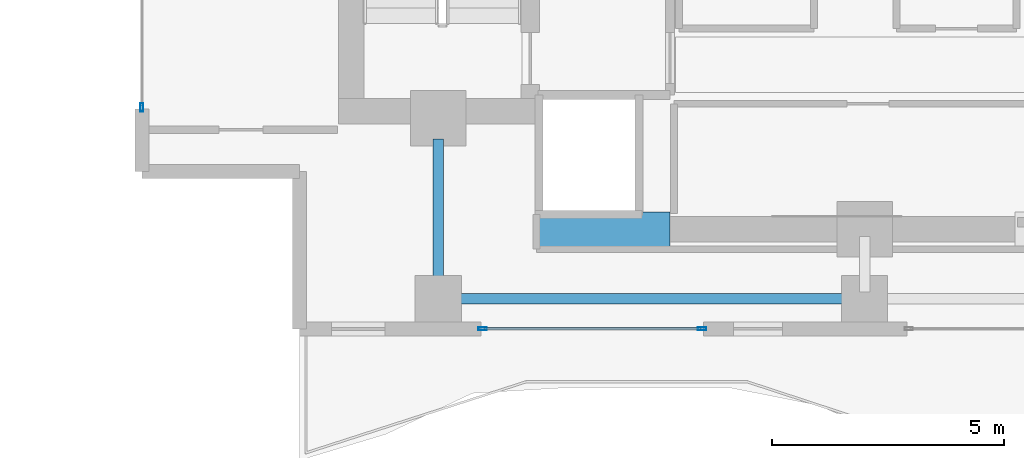
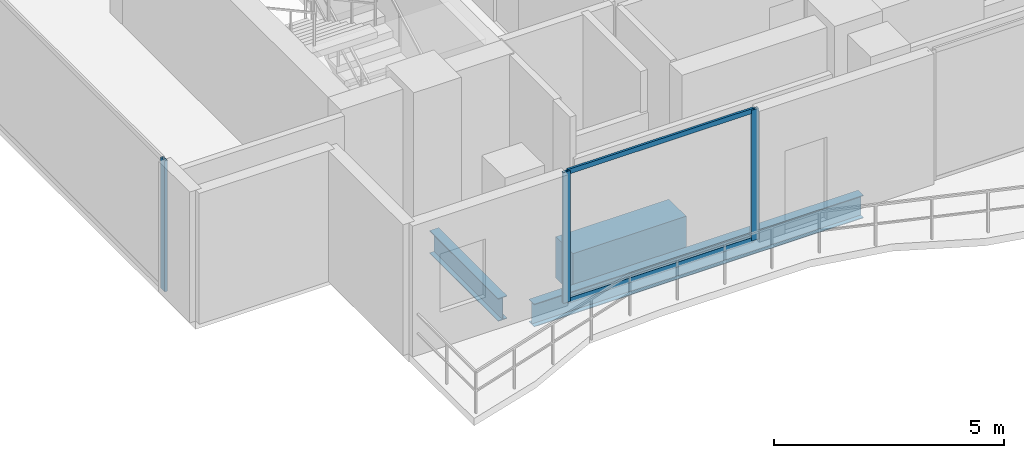
# One storey, part 2 of 23: 5 members, 3 beams, 2 elements without a shape of their own.
"""IFC4 building model written with IfcOpenShell, lengths in metres."""

from ifc_helpers import new_model, si_unit, direction, frame, origin, origin_2d, place, context, subcontext, project, spatial, rectangle, hollow_rectangle, i_section, extrude, material, layer, layer_set, material_profile, profile_set, type_object, element, aggregate, save


model = new_model("IFC4")

# Units and contexts
model_context = context("Model", 3, precision=1e-05, world=origin(), true_north=direction((0.0, 1.0)))
body_context = subcontext(model_context, "Body", "Model", "MODEL_VIEW")
ifc_project = project(units=[si_unit("LENGTHUNIT", "METRE"), si_unit("AREAUNIT", "SQUARE_METRE"), si_unit("VOLUMEUNIT", "CUBIC_METRE"), si_unit("PLANEANGLEUNIT", "RADIAN"), si_unit("MASSUNIT", "GRAM", prefix="KILO")], contexts=[model_context])

# Site, building, storey
site_placement = place(None, origin())
site = spatial("IfcSite", under=ifc_project, at=site_placement, CompositionType="ELEMENT")
building_placement = place(site_placement, origin())
building = spatial("IfcBuilding", under=site, at=building_placement, Name="Zuhayl Quay Hotel", CompositionType="ELEMENT")
storey_placement = place(building_placement, frame((0.0, 0.0, 272.949951171875)))
storey = spatial("IfcBuildingStorey", under=building, at=storey_placement, Name="L69", CompositionType="ELEMENT", Elevation=272.949951171875)

# Beams
ifc_material_1 = material(Name="Steel ASTM A992 Grade 50", Category="steel")
ifc_material_profile_1 = material_profile(ifc_material_1, i_section(OverallWidth=0.22802734375, OverallDepth=0.60693359375, WebThickness=0.01123046875, FlangeThickness=0.017333984375, at=origin_2d()), Name="W24X76")
ifc_profile_set_1 = profile_set([ifc_material_profile_1], Name="Steel ASTM A992 Grade 50")
beam_type_1 = type_object("IfcBeamType", Name="BM_B3_W24X76", PredefinedType="BEAM", material=ifc_profile_set_1)
beam_1_placement = place(storey_placement, frame((-13.340087890625, 0.64990234375, -0.5234375), z_axis=(1.0, 0.0, 0.0), x_axis=(0.0, 1.0, 0.0)))
element("IfcBeam", 1, at=beam_1_placement, inside=storey, type_object=beam_type_1, Name="L69 Floor Beam RG_L69_01", PredefinedType="BEAM", context=body_context, shape_type="SweptSolid", body=[
    extrude(i_section(OverallWidth=0.22802734375, OverallDepth=0.60693359375, WebThickness=0.01123046875, FlangeThickness=0.017333984375, at=origin_2d()), origin(), (0.0, 0.0, 1.0), 8.280029296875),
])
beam_2_placement = place(storey_placement, frame((-13.800048828125, 1.110107421875, -0.5234375), z_axis=(0.0, 1.0, 0.0), x_axis=(-1.0, 0.0, 0.0)))
element("IfcBeam", 2, at=beam_2_placement, inside=storey, type_object=beam_type_1, Name="L69 Floor Beam FG_S_L69_1", PredefinedType="BEAM", context=body_context, shape_type="SweptSolid", body=[
    extrude(i_section(OverallWidth=0.22802734375, OverallDepth=0.60693359375, WebThickness=0.01123046875, FlangeThickness=0.017333984375, at=origin_2d()), origin(), (0.0, 0.0, 1.0), 2.989990234375),
])
ifc_material_2 = material(Name="Concrete C60/75", Category="concrete")
ifc_material_profile_2 = material_profile(ifc_material_2, rectangle(XDim=0.75, YDim=1.10009765625, at=origin_2d()), Name="RC750X1100")
ifc_profile_set_2 = profile_set([ifc_material_profile_2], Name="Concrete C60/75")
beam_type_2 = type_object("IfcBeamType", Name="BM_CB2_RC750", PredefinedType="T_BEAM", material=ifc_profile_set_2)
beam_3_placement = place(storey_placement, frame((-11.64990234375, 2.14990234375, -0.77001953125), z_axis=(1.0, 0.0, 0.0), x_axis=(0.0, 1.0, 0.0)))
element("IfcBeam", 3, at=beam_3_placement, inside=storey, type_object=beam_type_2, Name="L69 Core Coupling Beam SW", PredefinedType="T_BEAM", context=body_context, shape_type="SweptSolid", body=[
    extrude(rectangle(XDim=0.75, YDim=1.10009765625, at=origin_2d()), origin(), (0.0, 0.0, 1.0), 2.849853515625),
])

# Curtain wall, member
ifc_material_3 = material(Name="Anodised Aluminium 6063-T6", Category="aluminium")
ifc_layer = layer(ifc_material_3, 0.169921875, Name="Anodised Aluminium 6063-T6", Category="aluminium")
ifc_layer_set = layer_set([ifc_layer], Name="Anodised Aluminium 6063-T6")
curtain_wall_type = type_object("IfcCurtainWallType", Name="CW_SYS_Z4", PredefinedType="USERDEFINED", material=ifc_layer_set)
curtain_wall_1_placement = place(storey_placement, origin())
curtain_wall_1 = element("IfcCurtainWall", 4, at=curtain_wall_1_placement, inside=storey, type_object=curtain_wall_type, Name="L69 Curtain Wall ENV_L69_E02_CW1", ObjectType="UNITISED CURTAIN WALL", PredefinedType="USERDEFINED")
ifc_material_4 = material(Name="Black-anodised aluminium 6063-T6", Category="aluminium")
ifc_material_profile_3 = material_profile(ifc_material_4, hollow_rectangle(XDim=0.06494140625, YDim=0.179931640625, WallThickness=0.00341796875, at=origin_2d()), Name="ALU180X65")
ifc_profile_set_3 = profile_set([ifc_material_profile_3], Name="Black-anodised aluminium 6063-T6")
member_type_1 = type_object("IfcMemberType", Name="MB_CW_MUL_180", PredefinedType="MULLION", material=ifc_profile_set_3)
member_1_placement = place(storey_placement, frame((-20.199951171875, 4.782470703125, 0.0), z_axis=(0.0, 0.0, 1.0), x_axis=(-1.0, 0.0, 0.0)))
member_1 = element("IfcMember", 5, at=member_1_placement, type_object=member_type_1, Name="CW-Z4 mullion 1", PredefinedType="MULLION", context=body_context, shape_type="SweptSolid", body=[
    extrude(hollow_rectangle(XDim=0.06494140625, YDim=0.179931640625, WallThickness=0.00341796875, at=origin_2d()), origin(), (0.0, 0.0, 1.0), 3.47998046875),
])
aggregate(curtain_wall_1, [member_1])

# Curtain wall, members
curtain_wall_2_placement = place(storey_placement, origin())
curtain_wall_2 = element("IfcCurtainWall", 6, at=curtain_wall_2_placement, inside=storey, type_object=curtain_wall_type, Name="L69 Curtain Wall ENV_L69_S_CW4", ObjectType="UNITISED CURTAIN WALL", PredefinedType="USERDEFINED")
member_2_placement = place(storey_placement, frame((-8.107421875, 0.0, 0.0), z_axis=(0.0, 0.0, 1.0), x_axis=(0.0, -1.0, 0.0)))
member_2 = element("IfcMember", 7, at=member_2_placement, type_object=member_type_1, Name="CW-Z4 mullion 1", PredefinedType="MULLION", context=body_context, shape_type="SweptSolid", body=[
    extrude(hollow_rectangle(XDim=0.06494140625, YDim=0.179931640625, WallThickness=0.00341796875, at=origin_2d()), origin(), (0.0, 0.0, 1.0), 3.47998046875),
])
member_3_placement = place(storey_placement, frame((-12.847412109375, 0.0, 0.0), z_axis=(0.0, 0.0, 1.0), x_axis=(0.0, -1.0, 0.0)))
member_3 = element("IfcMember", 8, at=member_3_placement, type_object=member_type_1, Name="CW-Z4 mullion 2", PredefinedType="MULLION", context=body_context, shape_type="SweptSolid", body=[
    extrude(hollow_rectangle(XDim=0.06494140625, YDim=0.179931640625, WallThickness=0.00341796875, at=origin_2d()), origin(), (0.0, 0.0, 1.0), 3.47998046875),
])
ifc_material_profile_4 = material_profile(ifc_material_4, hollow_rectangle(XDim=0.054931640625, YDim=0.1298828125, WallThickness=0.0029296875, at=origin_2d()), Name="ALU130X55")
ifc_profile_set_4 = profile_set([ifc_material_profile_4], Name="Black-anodised aluminium 6063-T6")
member_type_2 = type_object("IfcMemberType", Name="MB_CW_TRN_130", PredefinedType="USERDEFINED", material=ifc_profile_set_4)
member_4_placement = place(storey_placement, frame((-8.139892578125, 0.0, 0.027587890625), z_axis=(-1.0, 0.0, 0.0), x_axis=(0.0, -1.0, 0.0)))
member_4 = element("IfcMember", 9, at=member_4_placement, type_object=member_type_2, Name="CW-Z4 transom 1.1", ObjectType="TRANSOM", PredefinedType="USERDEFINED", context=body_context, shape_type="SweptSolid", body=[
    extrude(hollow_rectangle(XDim=0.054931640625, YDim=0.1298828125, WallThickness=0.0029296875, at=origin_2d()), origin(), (0.0, 0.0, 1.0), 4.675048828125),
])
member_5_placement = place(storey_placement, frame((-8.139892578125, 0.0, 3.45263671875), z_axis=(-1.0, 0.0, 0.0), x_axis=(0.0, -1.0, 0.0)))
member_5 = element("IfcMember", 10, at=member_5_placement, type_object=member_type_2, Name="CW-Z4 transom 1.2", ObjectType="TRANSOM", PredefinedType="USERDEFINED", context=body_context, shape_type="SweptSolid", body=[
    extrude(hollow_rectangle(XDim=0.054931640625, YDim=0.1298828125, WallThickness=0.0029296875, at=origin_2d()), origin(), (0.0, 0.0, 1.0), 4.675048828125),
])
aggregate(curtain_wall_2, [member_2, member_3, member_4, member_5])

save(model, "model.ifc")
